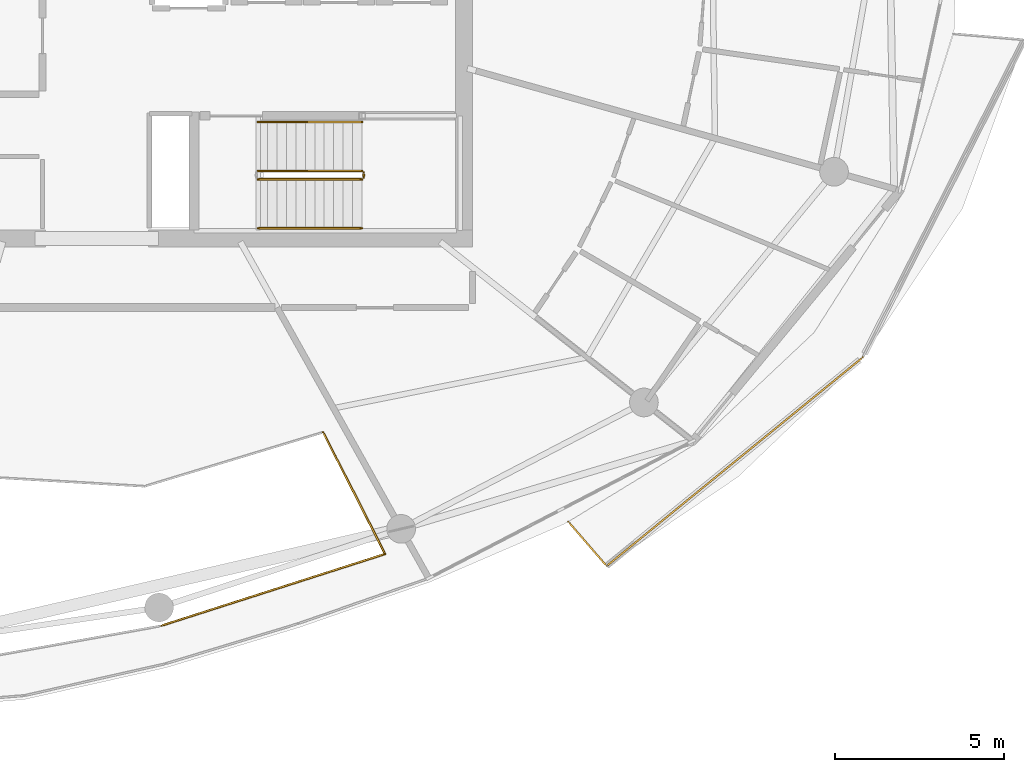
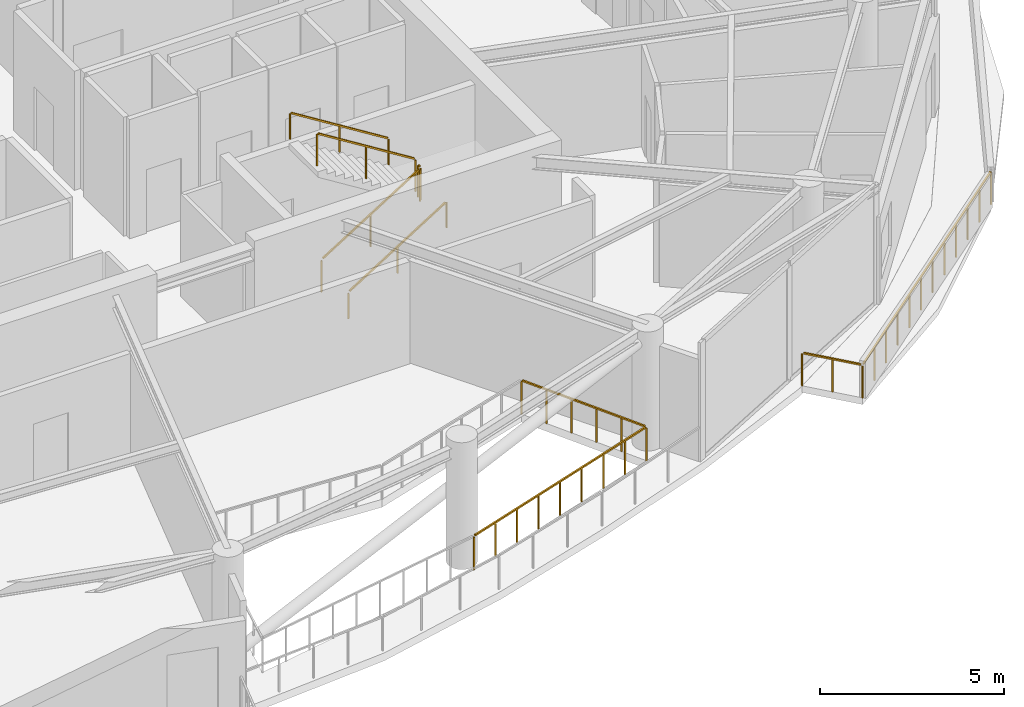
# One storey, part 20 of 22: 9 railings.
"""IFC4 building model written with IfcOpenShell, lengths in metres."""

from ifc_helpers import new_model, si_unit, direction, frame, origin, origin_2d, place, context, subcontext, project, spatial, rectangle, extrude, material, type_object, element, save


model = new_model("IFC4")

# Units and contexts
model_context = context("Model", 3, precision=1e-05, world=origin(), true_north=direction((0.0, 1.0)))
body_context = subcontext(model_context, "Body", "Model", "MODEL_VIEW")
ifc_project = project(units=[si_unit("LENGTHUNIT", "METRE"), si_unit("AREAUNIT", "SQUARE_METRE"), si_unit("VOLUMEUNIT", "CUBIC_METRE"), si_unit("PLANEANGLEUNIT", "RADIAN"), si_unit("MASSUNIT", "GRAM", prefix="KILO")], contexts=[model_context])

# Site, building, storey
site_placement = place(None, origin())
site = spatial("IfcSite", under=ifc_project, at=site_placement, CompositionType="ELEMENT")
building_placement = place(site_placement, origin())
building = spatial("IfcBuilding", under=site, at=building_placement, Name="Kazma Halo Residences", CompositionType="ELEMENT")
storey_placement = place(building_placement, frame((0.0, 0.0, 330.5)))
storey = spatial("IfcBuildingStorey", under=building, at=storey_placement, Name="L83", CompositionType="ELEMENT", Elevation=330.5)

# Railings
ifc_material_1 = material(Name="Aluminium AW-6063 T6 Brushed Cap Rail", Category="aluminium")
railing_type_1 = type_object("IfcRailingType", Name="RLG-BAL-CAP-1120", PredefinedType="BALUSTRADE", material=ifc_material_1)
railing_1_placement = place(storey_placement, frame((62.38818359375, 25.360595703125, 0.0)))
element("IfcRailing", 1, at=railing_1_placement, inside=storey, type_object=railing_type_1, Name="L83 SE wave balcony guard 1", PredefinedType="BALUSTRADE", context=body_context, shape_type="SweptSolid", body=[
    extrude(rectangle(XDim=0.050048828125, YDim=0.050048828125, at=origin_2d()), frame((0.02783203125, -0.0322265625, 1.09521484375), z_axis=(0.653997355522, -0.756496833417, 0.0), x_axis=(0.756496833417, 0.653997355522, 0.0)), (0.0, 0.0, 1.0), 1.64892578125),
    extrude(rectangle(XDim=0.0400390625, YDim=0.0400390625, at=origin_2d()), origin(), (0.0, 0.0, 1.0), 1.05810546875),
    extrude(rectangle(XDim=0.0400390625, YDim=0.0400390625, at=origin_2d()), frame((0.56689453125, -0.65576171875, 0.0)), (0.0, 0.0, 1.0), 1.05810546875),
    extrude(rectangle(XDim=0.0400390625, YDim=0.0400390625, at=origin_2d()), frame((1.134033203125, -1.311767578125, 0.0)), (0.0, 0.0, 1.0), 1.05810546875),
])
railing_2_placement = place(storey_placement, frame((63.522216796875, 24.048828125, 0.0)))
element("IfcRailing", 2, at=railing_2_placement, inside=storey, type_object=railing_type_1, Name="L83 SE wave balcony guard 2", PredefinedType="BALUSTRADE", context=body_context, shape_type="SweptSolid", body=[
    extrude(rectangle(XDim=0.050048828125, YDim=0.050048828125, at=origin_2d()), frame((0.032958984375, 0.02685546875, 1.09521484375), z_axis=(0.775313291473, 0.631576836232, 0.0), x_axis=(-0.631576836232, 0.775313291473, 0.0)), (0.0, 0.0, 1.0), 9.69677734375),
    extrude(rectangle(XDim=0.0400390625, YDim=0.0400390625, at=origin_2d()), origin(), (0.0, 0.0, 1.0), 1.05810546875),
    extrude(rectangle(XDim=0.0400390625, YDim=0.0400390625, at=origin_2d()), frame((0.689453125, 0.5615234375, 0.0)), (0.0, 0.0, 1.0), 1.05810546875),
    extrude(rectangle(XDim=0.0400390625, YDim=0.0400390625, at=origin_2d()), frame((1.37890625, 1.123291015625, 0.0)), (0.0, 0.0, 1.0), 1.05810546875),
    extrude(rectangle(XDim=0.0400390625, YDim=0.0400390625, at=origin_2d()), frame((2.068359375, 1.684814453125, 0.0)), (0.0, 0.0, 1.0), 1.05810546875),
    extrude(rectangle(XDim=0.0400390625, YDim=0.0400390625, at=origin_2d()), frame((2.7578125, 2.24658203125, 0.0)), (0.0, 0.0, 1.0), 1.05810546875),
    extrude(rectangle(XDim=0.0400390625, YDim=0.0400390625, at=origin_2d()), frame((3.447265625, 2.80810546875, 0.0)), (0.0, 0.0, 1.0), 1.05810546875),
    extrude(rectangle(XDim=0.0400390625, YDim=0.0400390625, at=origin_2d()), frame((4.13671875, 3.369873046875, 0.0)), (0.0, 0.0, 1.0), 1.05810546875),
    extrude(rectangle(XDim=0.0400390625, YDim=0.0400390625, at=origin_2d()), frame((4.826171875, 3.931396484375, 0.0)), (0.0, 0.0, 1.0), 1.05810546875),
    extrude(rectangle(XDim=0.0400390625, YDim=0.0400390625, at=origin_2d()), frame((5.515625, 4.4931640625, 0.0)), (0.0, 0.0, 1.0), 1.05810546875),
    extrude(rectangle(XDim=0.0400390625, YDim=0.0400390625, at=origin_2d()), frame((6.205078125, 5.0546875, 0.0)), (0.0, 0.0, 1.0), 1.05810546875),
    extrude(rectangle(XDim=0.0400390625, YDim=0.0400390625, at=origin_2d()), frame((6.89453125, 5.616455078125, 0.0)), (0.0, 0.0, 1.0), 1.05810546875),
    extrude(rectangle(XDim=0.0400390625, YDim=0.0400390625, at=origin_2d()), frame((7.583984375, 6.177978515625, 0.0)), (0.0, 0.0, 1.0), 1.05810546875),
])
ifc_material_2 = material(Name="Brushed Stainless Steel and Laminated Glass", Category="steel")
railing_type_2 = type_object("IfcRailingType", Name="RLG-EXT-GUARD-1150", PredefinedType="GUARDRAIL", material=ifc_material_2)
railing_3_placement = place(storey_placement, frame((55.127685546875, 28.01123046875, 0.0)))
element("IfcRailing", 3, at=railing_3_placement, inside=storey, type_object=railing_type_2, Name="L83 upper wind-portal edge guard 2.3", PredefinedType="GUARDRAIL", context=body_context, shape_type="SweptSolid", body=[
    extrude(rectangle(XDim=0.050048828125, YDim=0.050048828125, at=origin_2d()), frame((0.019287109375, -0.037841796875, 1.125), z_axis=(0.453986372723, -0.891008626996, 0.0), x_axis=(0.891008626996, 0.453986372723, 0.0)), (0.0, 0.0, 1.0), 3.958984375),
    extrude(rectangle(XDim=0.0400390625, YDim=0.0400390625, at=origin_2d()), origin(), (0.0, 0.0, 1.0), 1.087890625),
    extrude(rectangle(XDim=0.0400390625, YDim=0.0400390625, at=origin_2d()), frame((0.3671875, -0.720703125, 0.0)), (0.0, 0.0, 1.0), 1.087890625),
    extrude(rectangle(XDim=0.0400390625, YDim=0.0400390625, at=origin_2d()), frame((0.734375, -1.44140625, 0.0)), (0.0, 0.0, 1.0), 1.087890625),
    extrude(rectangle(XDim=0.0400390625, YDim=0.0400390625, at=origin_2d()), frame((1.1015625, -2.161865234375, 0.0)), (0.0, 0.0, 1.0), 1.087890625),
    extrude(rectangle(XDim=0.0400390625, YDim=0.0400390625, at=origin_2d()), frame((1.46875, -2.882568359375, 0.0)), (0.0, 0.0, 1.0), 1.087890625),
    extrude(rectangle(XDim=0.0400390625, YDim=0.0400390625, at=origin_2d()), frame((1.8359375, -3.603271484375, 0.0)), (0.0, 0.0, 1.0), 1.087890625),
])
railing_4_placement = place(storey_placement, frame((56.963623046875, 24.407958984375, 0.0)))
element("IfcRailing", 4, at=railing_4_placement, inside=storey, type_object=railing_type_2, Name="L83 upper wind-portal edge guard 2.4", PredefinedType="GUARDRAIL", context=body_context, shape_type="SweptSolid", body=[
    extrude(rectangle(XDim=0.050048828125, YDim=0.050048828125, at=origin_2d()), frame((-0.04052734375, -0.012939453125, 1.125), z_axis=(-0.952165276882, -0.305583516407, 0.0), x_axis=(0.305583516407, -0.952165276882, 0.0)), (0.0, 0.0, 1.0), 6.877685546875),
    extrude(rectangle(XDim=0.0400390625, YDim=0.0400390625, at=origin_2d()), origin(), (0.0, 0.0, 1.0), 1.087890625),
    extrude(rectangle(XDim=0.0400390625, YDim=0.0400390625, at=origin_2d()), frame((-0.82861328125, -0.265869140625, 0.0)), (0.0, 0.0, 1.0), 1.087890625),
    extrude(rectangle(XDim=0.0400390625, YDim=0.0400390625, at=origin_2d()), frame((-1.657470703125, -0.531982421875, 0.0)), (0.0, 0.0, 1.0), 1.087890625),
    extrude(rectangle(XDim=0.0400390625, YDim=0.0400390625, at=origin_2d()), frame((-2.486083984375, -0.7978515625, 0.0)), (0.0, 0.0, 1.0), 1.087890625),
    extrude(rectangle(XDim=0.0400390625, YDim=0.0400390625, at=origin_2d()), frame((-3.31494140625, -1.06396484375, 0.0)), (0.0, 0.0, 1.0), 1.087890625),
    extrude(rectangle(XDim=0.0400390625, YDim=0.0400390625, at=origin_2d()), frame((-4.1435546875, -1.329833984375, 0.0)), (0.0, 0.0, 1.0), 1.087890625),
    extrude(rectangle(XDim=0.0400390625, YDim=0.0400390625, at=origin_2d()), frame((-4.97216796875, -1.595703125, 0.0)), (0.0, 0.0, 1.0), 1.087890625),
    extrude(rectangle(XDim=0.0400390625, YDim=0.0400390625, at=origin_2d()), frame((-5.801025390625, -1.86181640625, 0.0)), (0.0, 0.0, 1.0), 1.087890625),
    extrude(rectangle(XDim=0.0400390625, YDim=0.0400390625, at=origin_2d()), frame((-6.629638671875, -2.127685546875, 0.0)), (0.0, 0.0, 1.0), 1.087890625),
])
ifc_material_3 = material(Name="Painted Steel S355", Category="steel")
railing_type_3 = type_object("IfcRailingType", Name="RLG-STAIR-GRD-1100", PredefinedType="GUARDRAIL", material=ifc_material_3)
railing_5_placement = place(storey_placement, frame((53.199951171875, 35.5, 0.175048828125)))
element("IfcRailing", 5, at=railing_5_placement, inside=storey, type_object=railing_type_3, Name="L83 ST-03 stair guard 1", PredefinedType="GUARDRAIL", context=body_context, shape_type="SweptSolid", body=[
    extrude(rectangle(XDim=0.050048828125, YDim=0.050048828125, at=origin_2d()), frame((0.0361328125, 0.0, 1.09765625), z_axis=(0.847998304005, 0.0, 0.529998940003), x_axis=(0.0, 1.0, 0.0)), (0.0, 0.0, 1.0), 3.547119140625),
    extrude(rectangle(XDim=0.0400390625, YDim=0.0400390625, at=origin_2d()), origin(), (0.0, 0.0, 1.0), 1.0380859375),
    extrude(rectangle(XDim=0.0400390625, YDim=0.0400390625, at=origin_2d()), frame((1.5400390625, 0.0, 0.96240234375)), (0.0, 0.0, 1.0), 1.0380859375),
    extrude(rectangle(XDim=0.0400390625, YDim=0.0400390625, at=origin_2d()), frame((3.080078125, 0.0, 1.925048828125)), (0.0, 0.0, 1.0), 1.0380859375),
])
railing_6_placement = place(storey_placement, frame((56.330078125, 35.550048828125, 2.10009765625)))
element("IfcRailing", 6, at=railing_6_placement, inside=storey, type_object=railing_type_3, Name="L83 ST-03 stair guard 2", PredefinedType="GUARDRAIL", context=body_context, shape_type="SweptSolid", body=[
    extrude(rectangle(XDim=0.050048828125, YDim=0.050048828125, at=origin_2d()), frame((0.0, 0.04248046875, 1.0751953125), z_axis=(0.0, 1.0, 0.0), x_axis=(-1.0, 0.0, 0.0)), (0.0, 0.0, 1.0), 0.06494140625),
    extrude(rectangle(XDim=0.0400390625, YDim=0.0400390625, at=origin_2d()), origin(), (0.0, 0.0, 1.0), 1.0380859375),
    extrude(rectangle(XDim=0.0400390625, YDim=0.0400390625, at=origin_2d()), frame((0.0, 0.14990234375, 0.0)), (0.0, 0.0, 1.0), 1.0380859375),
])
railing_7_placement = place(storey_placement, frame((56.280029296875, 35.75, 2.27490234375)))
element("IfcRailing", 7, at=railing_7_placement, inside=storey, type_object=railing_type_3, Name="L83 ST-03 stair guard 3", PredefinedType="GUARDRAIL", context=body_context, shape_type="SweptSolid", body=[
    extrude(rectangle(XDim=0.050048828125, YDim=0.050048828125, at=origin_2d()), frame((-0.0361328125, 0.0, 1.09765625), z_axis=(-0.847998304005, 0.0, 0.529998940003), x_axis=(0.0, -1.0, 0.0)), (0.0, 0.0, 1.0), 3.547119140625),
    extrude(rectangle(XDim=0.0400390625, YDim=0.0400390625, at=origin_2d()), origin(), (0.0, 0.0, 1.0), 1.0380859375),
    extrude(rectangle(XDim=0.0400390625, YDim=0.0400390625, at=origin_2d()), frame((-1.5400390625, 0.0, 0.96240234375)), (0.0, 0.0, 1.0), 1.0380859375),
    extrude(rectangle(XDim=0.0400390625, YDim=0.0400390625, at=origin_2d()), frame((-3.080078125, 0.0, 1.925048828125)), (0.0, 0.0, 1.0), 1.0380859375),
])
ifc_material_4 = material(Name="Brushed Stainless Steel", Category="steel")
railing_type_4 = type_object("IfcRailingType", Name="RLG-STAIR-HND-900", PredefinedType="HANDRAIL", material=ifc_material_4)
railing_8_placement = place(storey_placement, frame((53.199951171875, 34.050048828125, 0.175048828125)))
element("IfcRailing", 8, at=railing_8_placement, inside=storey, type_object=railing_type_4, Name="L83 ST-03 stair handrail 1", PredefinedType="HANDRAIL", context=body_context, shape_type="SweptSolid", body=[
    extrude(rectangle(XDim=0.050048828125, YDim=0.050048828125, at=origin_2d()), frame((0.0361328125, 0.0, 0.8974609375), z_axis=(0.847998304005, 0.0, 0.529998940003), x_axis=(0.0, 1.0, 0.0)), (0.0, 0.0, 1.0), 3.547119140625),
    extrude(rectangle(XDim=0.0400390625, YDim=0.0400390625, at=origin_2d()), origin(), (0.0, 0.0, 1.0), 0.837890625),
    extrude(rectangle(XDim=0.0400390625, YDim=0.0400390625, at=origin_2d()), frame((1.5400390625, 0.0, 0.96240234375)), (0.0, 0.0, 1.0), 0.837890625),
    extrude(rectangle(XDim=0.0400390625, YDim=0.0400390625, at=origin_2d()), frame((3.080078125, 0.0, 1.925048828125)), (0.0, 0.0, 1.0), 0.837890625),
])
railing_9_placement = place(storey_placement, frame((56.280029296875, 37.199951171875, 2.27490234375)))
element("IfcRailing", 9, at=railing_9_placement, inside=storey, type_object=railing_type_4, Name="L83 ST-03 stair handrail 2", PredefinedType="HANDRAIL", context=body_context, shape_type="SweptSolid", body=[
    extrude(rectangle(XDim=0.050048828125, YDim=0.050048828125, at=origin_2d()), frame((-0.0361328125, 0.0, 0.8974609375), z_axis=(-0.847998304005, 0.0, 0.529998940003), x_axis=(0.0, -1.0, 0.0)), (0.0, 0.0, 1.0), 3.547119140625),
    extrude(rectangle(XDim=0.0400390625, YDim=0.0400390625, at=origin_2d()), origin(), (0.0, 0.0, 1.0), 0.837890625),
    extrude(rectangle(XDim=0.0400390625, YDim=0.0400390625, at=origin_2d()), frame((-1.5400390625, 0.0, 0.96240234375)), (0.0, 0.0, 1.0), 0.837890625),
    extrude(rectangle(XDim=0.0400390625, YDim=0.0400390625, at=origin_2d()), frame((-3.080078125, 0.0, 1.925048828125)), (0.0, 0.0, 1.0), 0.837890625),
])

save(model, "model.ifc")
